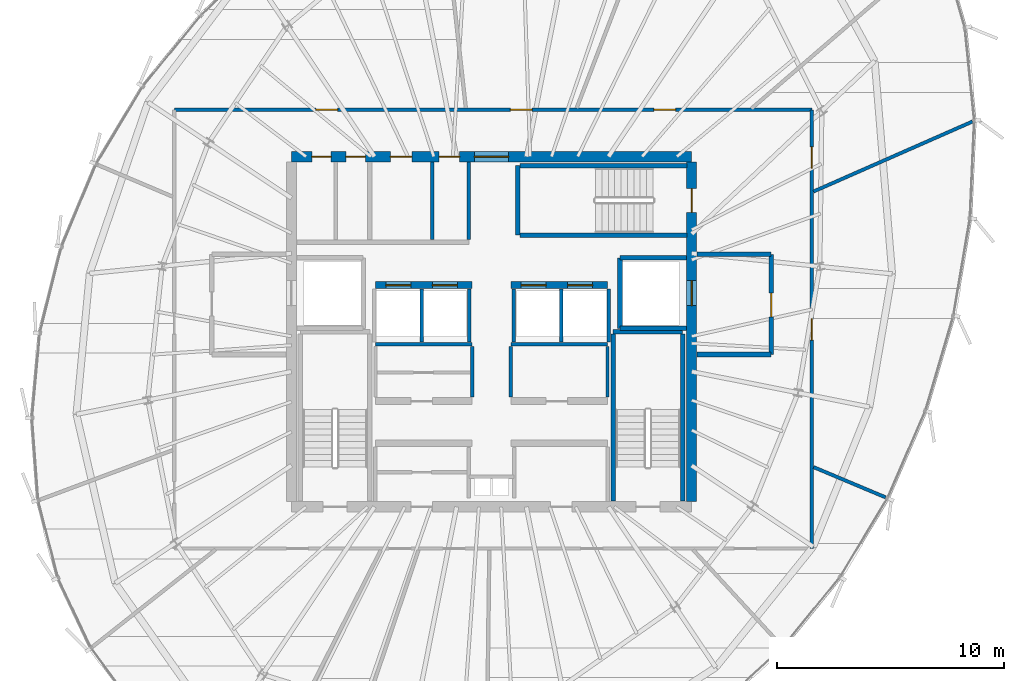
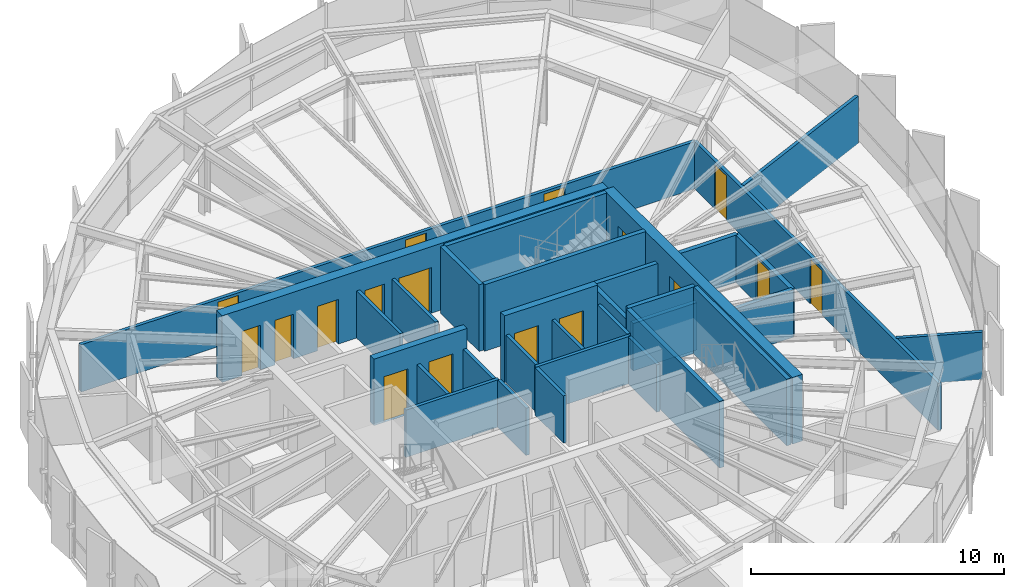
# One storey, part 28 of 33: 32 walls, 17 doors, 17 openings.
"""IFC4 building model written with IfcOpenShell, lengths in metres."""

from ifc_helpers import new_model, si_unit, direction, frame, frame_2d, origin, place, context, subcontext, project, spatial, rectangle, extrude, source, transform, mapped, material, layer, layer_set, type_object, element, fill, save


model = new_model("IFC4")

# Units and contexts
model_context = context("Model", 3, precision=1e-05, world=origin(), true_north=direction((0.0, 1.0)))
body_context = subcontext(model_context, "Body", "Model", "MODEL_VIEW")
ifc_project = project(units=[si_unit("LENGTHUNIT", "METRE"), si_unit("AREAUNIT", "SQUARE_METRE"), si_unit("VOLUMEUNIT", "CUBIC_METRE"), si_unit("PLANEANGLEUNIT", "RADIAN"), si_unit("MASSUNIT", "GRAM", prefix="KILO"), si_unit("THERMODYNAMICTEMPERATUREUNIT", "KELVIN")], contexts=[model_context])

# Site, building, storey
site_placement = place(None, origin())
site = spatial("IfcSite", under=ifc_project, at=site_placement, CompositionType="ELEMENT")
building_placement = place(site_placement, origin())
building = spatial("IfcBuilding", under=site, at=building_placement, Name="Kethvar Cultural Tower", CompositionType="ELEMENT")
storey_placement = place(building_placement, frame((0.0, 0.0, 256.0)))
storey = spatial("IfcBuildingStorey", under=building, at=storey_placement, Name="L67", CompositionType="ELEMENT", Elevation=256.0)

# Wall, openings, doors
ifc_material_1 = material(Name="Concrete C50/60", Category="concrete")
ifc_layer_1 = layer(ifc_material_1, 0.449951171875, Name="Concrete C50/60", Category="concrete")
ifc_layer_set_1 = layer_set([ifc_layer_1], Name="Concrete C50/60 (450 mm)")
wall_type_1 = type_object("IfcWallType", Name="WL-CORE-450", PredefinedType="SHEAR", material=ifc_layer_set_1)
wall_1_placement = place(storey_placement, frame((55.60009765625, 35.5, 0.0), z_axis=(0.0, 0.0, 1.0), x_axis=(-1.0, 0.0, 0.0)))
wall_1 = element("IfcWall", 1, at=wall_1_placement, inside=storey, type_object=wall_type_1, Name="L67 Core Shear Wall N", PredefinedType="SHEAR", context=body_context, shape_type="SweptSolid", body=[
    extrude(rectangle(XDim=17.60009765625, YDim=0.449951171875, at=frame_2d((8.800048828125, 0.0))), origin(), (0.0, 0.0, 1.0), 3.2099609375),
])
opening_1_placement = place(wall_1_placement, frame((8.050048828125, 0.0, 0.0)))
opening_1 = element("IfcOpeningElement", 2, at=opening_1_placement, cuts=wall_1, Name="Opening D-L67-LN", PredefinedType="OPENING", context=body_context, shape_type="SweptSolid", body=[
    extrude(rectangle(XDim=1.5, YDim=2.199951171875, at=frame_2d((0.75, 1.10009765625))), frame((0.0, 0.23486328125, 0.0), z_axis=(0.0, -1.0, 0.0), x_axis=(1.0, 0.0, 0.0)), (0.0, 0.0, 1.0), 0.469970703125),
])
opening_2_placement = place(wall_1_placement, frame((15.85009765625, 0.0, 0.0)))
opening_2 = element("IfcOpeningElement", 3, at=opening_2_placement, cuts=wall_1, Name="Opening D-L67-E1", PredefinedType="OPENING", context=body_context, shape_type="SweptSolid", body=[
    extrude(rectangle(XDim=0.85009765625, YDim=2.14990234375, at=frame_2d((0.425048828125, 1.074951171875))), frame((0.0, 0.23486328125, 0.0), z_axis=(0.0, -1.0, 0.0), x_axis=(1.0, 0.0, 0.0)), (0.0, 0.0, 1.0), 0.469970703125),
])
opening_3_placement = place(wall_1_placement, frame((14.35009765625, 0.0, 0.0)))
opening_3 = element("IfcOpeningElement", 4, at=opening_3_placement, cuts=wall_1, Name="Opening D-L67-E2", PredefinedType="OPENING", context=body_context, shape_type="SweptSolid", body=[
    extrude(rectangle(XDim=0.85009765625, YDim=2.14990234375, at=frame_2d((0.425048828125, 1.074951171875))), frame((0.0, 0.23486328125, 0.0), z_axis=(0.0, -1.0, 0.0), x_axis=(1.0, 0.0, 0.0)), (0.0, 0.0, 1.0), 0.469970703125),
])
opening_4_placement = place(wall_1_placement, frame((12.300048828125, 0.0, 0.0)))
opening_4 = element("IfcOpeningElement", 5, at=opening_4_placement, cuts=wall_1, Name="Opening D-L67-W1", PredefinedType="OPENING", context=body_context, shape_type="SweptSolid", body=[
    extrude(rectangle(XDim=0.949951171875, YDim=2.14990234375, at=frame_2d((0.47509765625, 1.074951171875))), frame((0.0, 0.23486328125, 0.0), z_axis=(0.0, -1.0, 0.0), x_axis=(1.0, 0.0, 0.0)), (0.0, 0.0, 1.0), 0.469970703125),
])
opening_5_placement = place(wall_1_placement, frame((10.199951171875, 0.0, 0.0)))
opening_5 = element("IfcOpeningElement", 6, at=opening_5_placement, cuts=wall_1, Name="Opening D-L67-W2", PredefinedType="OPENING", context=body_context, shape_type="SweptSolid", body=[
    extrude(rectangle(XDim=0.89990234375, YDim=2.14990234375, at=frame_2d((0.449951171875, 1.074951171875))), frame((0.0, 0.23486328125, 0.0), z_axis=(0.0, -1.0, 0.0), x_axis=(1.0, 0.0, 0.0)), (0.0, 0.0, 1.0), 0.469970703125),
])
ifc_material_2 = material(Name="Architectural Oak Timber", Category="wood")
door_type_1 = type_object("IfcDoorType", Name="DR-DBL-FD60-1500", OperationType="DOUBLE_DOOR_SINGLE_SWING", PredefinedType="DOOR", material=ifc_material_2)
shared_shape_1 = source(origin(), body_context, "Body", "SweptSolid", [
    extrude(rectangle(XDim=1.5, YDim=2.199951171875, at=frame_2d((0.75, 1.10009765625))), frame((0.0, 0.02490234375, 0.0), z_axis=(0.0, -1.0, 0.0), x_axis=(1.0, 0.0, 0.0)), (0.0, 0.0, 1.0), 0.050048828125),
])
door_1_placement = place(opening_1_placement, origin())
door_1 = element("IfcDoor", 7, at=door_1_placement, inside=storey, type_object=door_type_1, Name="L67 Lift Lobby Concourse Door", OperationType="DOUBLE_DOOR_SINGLE_SWING", OverallHeight=2.199951171875, OverallWidth=1.5, PredefinedType="DOOR", context=body_context, shape_type="MappedRepresentation", body=[
    mapped(shared_shape_1, transform((0.0, 0.0, 0.0), scale=1.0)),
])
fill(opening_1, door_1)
door_type_2 = type_object("IfcDoorType", Name="DR-FD30-950", OperationType="NOTDEFINED", PredefinedType="DOOR", material=ifc_material_2)
shared_shape_2 = source(origin(), body_context, "Body", "SweptSolid", [
    extrude(rectangle(XDim=0.949951171875, YDim=2.14990234375, at=frame_2d((0.47509765625, 1.074951171875))), frame((0.0, 0.02490234375, 0.0), z_axis=(0.0, -1.0, 0.0), x_axis=(1.0, 0.0, 0.0)), (0.0, 0.0, 1.0), 0.050048828125),
])
door_2_placement = place(opening_4_placement, origin())
door_2 = element("IfcDoor", 8, at=door_2_placement, inside=storey, type_object=door_type_2, Name="L67 Public Washroom Door", OperationType="SINGLE_SWING_LEFT", OverallHeight=2.14990234375, OverallWidth=0.949951171875, PredefinedType="DOOR", context=body_context, shape_type="MappedRepresentation", body=[
    mapped(shared_shape_2, transform((0.0, 0.0, 0.0), scale=1.0)),
])
fill(opening_4, door_2)
door_type_3 = type_object("IfcDoorType", Name="DR-FD30-900", OperationType="NOTDEFINED", PredefinedType="DOOR", material=ifc_material_2)
shared_shape_3 = source(origin(), body_context, "Body", "SweptSolid", [
    extrude(rectangle(XDim=0.89990234375, YDim=2.14990234375, at=frame_2d((0.449951171875, 1.074951171875))), frame((0.0, 0.02490234375, 0.0), z_axis=(0.0, -1.0, 0.0), x_axis=(1.0, 0.0, 0.0)), (0.0, 0.0, 1.0), 0.050048828125),
])
door_3_placement = place(opening_5_placement, origin())
door_3 = element("IfcDoor", 9, at=door_3_placement, inside=storey, type_object=door_type_3, Name="L67 Accessible Washroom Door", OperationType="SINGLE_SWING_RIGHT", OverallHeight=2.14990234375, OverallWidth=0.89990234375, PredefinedType="DOOR", context=body_context, shape_type="MappedRepresentation", body=[
    mapped(shared_shape_3, transform((0.0, 0.0, 0.0), scale=1.0)),
])
fill(opening_5, door_3)
ifc_material_3 = material(Name="Steel S355J2", Category="steel")
door_type_4 = type_object("IfcDoorType", Name="DR-FD30-850", OperationType="NOTDEFINED", PredefinedType="DOOR", material=ifc_material_3)
shared_shape_4 = source(origin(), body_context, "Body", "SweptSolid", [
    extrude(rectangle(XDim=0.85009765625, YDim=2.14990234375, at=frame_2d((0.425048828125, 1.074951171875))), frame((0.0, 0.02490234375, 0.0), z_axis=(0.0, -1.0, 0.0), x_axis=(1.0, 0.0, 0.0)), (0.0, 0.0, 1.0), 0.050048828125),
])
door_4_placement = place(opening_2_placement, origin())
door_4 = element("IfcDoor", 10, at=door_4_placement, inside=storey, type_object=door_type_4, Name="L67 Electrical Riser Door", OperationType="SINGLE_SWING_LEFT", OverallHeight=2.14990234375, OverallWidth=0.85009765625, PredefinedType="DOOR", context=body_context, shape_type="MappedRepresentation", body=[
    mapped(shared_shape_4, transform((0.0, 0.0, 0.0), scale=1.0)),
])
fill(opening_2, door_4)
door_5_placement = place(opening_3_placement, origin())
door_5 = element("IfcDoor", 11, at=door_5_placement, inside=storey, type_object=door_type_4, Name="L67 Chilled Water Riser Door", OperationType="SINGLE_SWING_RIGHT", OverallHeight=2.14990234375, OverallWidth=0.85009765625, PredefinedType="DOOR", context=body_context, shape_type="MappedRepresentation", body=[
    mapped(shared_shape_4, transform((0.0, 0.0, 0.0), scale=1.0)),
])
fill(opening_3, door_5)

wall_2_placement = place(storey_placement, frame((55.60009765625, 20.340087890625, 0.0), z_axis=(0.0, 0.0, 1.0), x_axis=(0.0, 1.0, 0.0)))
wall_2 = element("IfcWall", 12, at=wall_2_placement, inside=storey, type_object=wall_type_1, Name="L67 Core Shear Wall E", PredefinedType="SHEAR", context=body_context, shape_type="SweptSolid", body=[
    extrude(rectangle(XDim=14.919921875, YDim=0.449951171875, at=frame_2d((7.4599609375, 0.0))), origin(), (0.0, 0.0, 1.0), 3.2099609375),
])
opening_6_placement = place(wall_2_placement, frame((12.7099609375, 0.0, 0.0)))
opening_6 = element("IfcOpeningElement", 13, at=opening_6_placement, cuts=wall_2, Name="Opening D-L67-S3", PredefinedType="OPENING", context=body_context, shape_type="SweptSolid", body=[
    extrude(rectangle(XDim=1.050048828125, YDim=2.14990234375, at=frame_2d((0.52490234375, 1.074951171875))), frame((0.0, 0.23486328125, 0.0), z_axis=(0.0, -1.0, 0.0), x_axis=(1.0, 0.0, 0.0)), (0.0, 0.0, 1.0), 0.469970703125),
])
opening_7_placement = place(wall_2_placement, frame((8.610107421875, 0.0, 0.0)))
opening_7 = element("IfcOpeningElement", 14, at=opening_7_placement, cuts=wall_2, Name="Opening LD-2", PredefinedType="OPENING", context=body_context, shape_type="SweptSolid", body=[
    extrude(rectangle(XDim=1.10009765625, YDim=2.199951171875, at=frame_2d((0.550048828125, 1.10009765625))), frame((0.0, 0.23486328125, 0.0), z_axis=(0.0, -1.0, 0.0), x_axis=(1.0, 0.0, 0.0)), (0.0, 0.0, 1.0), 0.469970703125),
])
door_type_5 = type_object("IfcDoorType", Name="DR-FD60-1050", OperationType="NOTDEFINED", PredefinedType="DOOR", material=ifc_material_3)
shared_shape_5 = source(origin(), body_context, "Body", "SweptSolid", [
    extrude(rectangle(XDim=1.050048828125, YDim=2.14990234375, at=frame_2d((0.52490234375, 1.074951171875))), frame((0.0, 0.02490234375, 0.0), z_axis=(0.0, -1.0, 0.0), x_axis=(1.0, 0.0, 0.0)), (0.0, 0.0, 1.0), 0.050048828125),
])
door_6_placement = place(opening_6_placement, origin())
door_6 = element("IfcDoor", 15, at=door_6_placement, inside=storey, type_object=door_type_5, Name="L67 Exit Stair 3 Door", OperationType="SINGLE_SWING_LEFT", OverallHeight=2.14990234375, OverallWidth=1.050048828125, PredefinedType="DOOR", context=body_context, shape_type="MappedRepresentation", body=[
    mapped(shared_shape_5, transform((0.0, 0.0, 0.0), scale=1.0)),
])
fill(opening_6, door_6)
door_type_6 = type_object("IfcDoorType", Name="DR-LIFT-SLIDE-1100", OperationType="NOTDEFINED", PredefinedType="DOOR", material=ifc_material_3)
shared_shape_6 = source(origin(), body_context, "Body", "SweptSolid", [
    extrude(rectangle(XDim=1.10009765625, YDim=2.199951171875, at=frame_2d((0.550048828125, 1.10009765625))), frame((0.0, 0.02490234375, 0.0), z_axis=(0.0, -1.0, 0.0), x_axis=(1.0, 0.0, 0.0)), (0.0, 0.0, 1.0), 0.050048828125),
])
door_7_placement = place(opening_7_placement, origin())
door_7 = element("IfcDoor", 16, at=door_7_placement, inside=storey, type_object=door_type_6, Name="L67 Firefighting Lift Landing Door FFL-02", OperationType="SLIDING_TO_RIGHT", OverallHeight=2.199951171875, OverallWidth=1.10009765625, PredefinedType="DOOR", context=body_context, shape_type="MappedRepresentation", body=[
    mapped(shared_shape_6, transform((0.0, 0.0, 0.0), scale=1.0)),
])
fill(opening_7, door_7)

# Walls
ifc_material_4 = material(Name="Gypsum Fireboard Partition")
ifc_layer_2 = layer(ifc_material_4, 0.14990234375, Name="Gypsum Fireboard Partition")
ifc_layer_set_2 = layer_set([ifc_layer_2], Name="Gypsum Fireboard Partition (150 mm)")
wall_type_2 = type_object("IfcWallType", Name="WL-FIRE-150", PredefinedType="PARTITIONING", material=ifc_layer_set_2)
for number, where, z_axis, x_axis, name in (
    (17, (41.699951171875, 27.25, 0.0), (0.0, 0.0, 1.0), (1.0, 0.0, 0.0), "L67 Reclaimed Mid Wall W"),
    (18, (47.64990234375, 27.25, 0.0), (0.0, 0.0, 1.0), (1.0, 0.0, 0.0), "L67 Reclaimed Mid Wall E"),
):
    element("IfcWall", number, at=place(storey_placement, frame(where, z_axis=z_axis, x_axis=x_axis)), inside=storey, type_object=wall_type_2, Name=name, PredefinedType="PARTITIONING", context=body_context, shape_type="SweptSolid", body=[
        extrude(rectangle(XDim=4.25, YDim=0.14990234375, at=frame_2d((2.125, 0.0))), origin(), (0.0, 0.0, 1.0), 2.280029296875),
    ])
for number, where, z_axis, x_axis, name in (
    (19, (45.949951171875, 24.919921875, 0.0), (0.0, 0.0, 1.0), (0.0, 1.0, 0.0), "L67 Reclaimed Mid Spine W"),
    (20, (47.64990234375, 24.919921875, 0.0), (0.0, 0.0, 1.0), (0.0, 1.0, 0.0), "L67 Reclaimed Mid Spine E"),
    (21, (51.89990234375, 24.919921875, 0.0), (0.0, 0.0, 1.0), (0.0, 1.0, 0.0), "L67 Reclaimed Mid Outer E"),
):
    element("IfcWall", number, at=place(storey_placement, frame(where, z_axis=z_axis, x_axis=x_axis)), inside=storey, type_object=wall_type_2, Name=name, PredefinedType="PARTITIONING", context=body_context, shape_type="SweptSolid", body=[
        extrude(rectangle(XDim=2.239990234375, YDim=0.14990234375, at=frame_2d((1.1201171875, 0.0))), origin(), (0.0, 0.0, 1.0), 2.280029296875),
    ])
for number, where, z_axis, x_axis, name in (
    (22, (43.72509765625, 27.340087890625, 0.0), (0.0, 0.0, 1.0), (0.0, 1.0, 0.0), "L67 High-Rise Lift Shaft Divider W"),
    (23, (45.824951171875, 27.340087890625, 0.0), (0.0, 0.0, 1.0), (0.0, 1.0, 0.0), "L67 High-Rise Lift Shaft Concourse Wall W"),
    (24, (47.77490234375, 27.340087890625, 0.0), (0.0, 0.0, 1.0), (0.0, 1.0, 0.0), "L67 High-Rise Lift Shaft Concourse Wall E"),
    (25, (49.875, 27.340087890625, 0.0), (0.0, 0.0, 1.0), (0.0, 1.0, 0.0), "L67 High-Rise Lift Shaft Divider E"),
    (26, (51.949951171875, 27.340087890625, 0.0), (0.0, 0.0, 1.0), (0.0, 1.0, 0.0), "L67 High-Rise Lift Shaft Outer Wall E"),
):
    element("IfcWall", number, at=place(storey_placement, frame(where, z_axis=z_axis, x_axis=x_axis)), inside=storey, type_object=wall_type_2, Name=name, PredefinedType="PARTITIONING", context=body_context, shape_type="SweptSolid", body=[
        extrude(rectangle(XDim=2.33984375, YDim=0.14990234375, at=frame_2d((1.169921875, 0.0))), origin(), (0.0, 0.0, 1.0), 2.280029296875),
    ])
wall_3_placement = place(storey_placement, frame((45.800048828125, 31.85009765625, 0.0), z_axis=(0.0, 0.0, 1.0), x_axis=(0.0, 1.0, 0.0)))
element("IfcWall", 27, at=wall_3_placement, inside=storey, type_object=wall_type_2, Name="L67 Sanitary Spine Wall", PredefinedType="PARTITIONING", context=body_context, shape_type="SweptSolid", body=[
    extrude(rectangle(XDim=3.414794921875, YDim=0.14990234375, at=frame_2d((1.70751953125, 0.0))), origin(), (0.0, 0.0, 1.0), 2.280029296875),
])

# Wall, openings, doors
wall_4_placement = place(storey_placement, frame((60.887939453125, 18.26904296875, 0.0), z_axis=(0.0, 0.0, 1.0), x_axis=(0.0, 1.0, 0.0)))
wall_4 = element("IfcWall", 28, at=wall_4_placement, inside=storey, type_object=wall_type_2, Name="L67 Corridor Rated Wall E", PredefinedType="PARTITIONING", context=body_context, shape_type="SweptSolid", body=[
    extrude(rectangle(XDim=19.29296875, YDim=0.14990234375, at=frame_2d((9.646484375, 0.0))), origin(), (0.0, 0.0, 1.0), 2.280029296875),
])
opening_8_placement = place(wall_4_placement, frame((9.163818359375, 0.0, 0.0)))
opening_8 = element("IfcOpeningElement", 29, at=opening_8_placement, cuts=wall_4, Name="Opening D-L67-07", PredefinedType="OPENING", context=body_context, shape_type="SweptSolid", body=[
    extrude(rectangle(XDim=0.949951171875, YDim=2.14990234375, at=frame_2d((0.47509765625, 1.074951171875))), frame((0.0, 0.0849609375, 0.0), z_axis=(0.0, -1.0, 0.0), x_axis=(1.0, 0.0, 0.0)), (0.0, 0.0, 1.0), 0.169921875),
])
opening_9_placement = place(wall_4_placement, frame((16.714599609375, 0.0, 0.0)))
opening_9 = element("IfcOpeningElement", 30, at=opening_9_placement, cuts=wall_4, Name="Opening D-L67-08", PredefinedType="OPENING", context=body_context, shape_type="SweptSolid", body=[
    extrude(rectangle(XDim=0.949951171875, YDim=2.14990234375, at=frame_2d((0.47509765625, 1.074951171875))), frame((0.0, 0.0849609375, 0.0), z_axis=(0.0, -1.0, 0.0), x_axis=(1.0, 0.0, 0.0)), (0.0, 0.0, 1.0), 0.169921875),
])
door_8_placement = place(opening_8_placement, origin())
door_8 = element("IfcDoor", 31, at=door_8_placement, inside=storey, type_object=door_type_2, Name="L67 Rare Folio Storage 07 Door", OperationType="SINGLE_SWING_RIGHT", OverallHeight=2.14990234375, OverallWidth=0.949951171875, PredefinedType="DOOR", context=body_context, shape_type="MappedRepresentation", body=[
    mapped(shared_shape_2, transform((0.0, 0.0, 0.0), scale=1.0)),
])
fill(opening_8, door_8)
door_9_placement = place(opening_9_placement, origin())
door_9 = element("IfcDoor", 32, at=door_9_placement, inside=storey, type_object=door_type_2, Name="L67 Publication Archive Store 08 Door", OperationType="SINGLE_SWING_LEFT", OverallHeight=2.14990234375, OverallWidth=0.949951171875, PredefinedType="DOOR", context=body_context, shape_type="MappedRepresentation", body=[
    mapped(shared_shape_2, transform((0.0, 0.0, 0.0), scale=1.0)),
])
fill(opening_9, door_9)

wall_5_placement = place(storey_placement, frame((60.887939453125, 37.56201171875, 0.0), z_axis=(0.0, 0.0, 1.0), x_axis=(-1.0, 0.0, 0.0)))
wall_5 = element("IfcWall", 33, at=wall_5_placement, inside=storey, type_object=wall_type_2, Name="L67 Corridor Rated Wall N", PredefinedType="PARTITIONING", context=body_context, shape_type="SweptSolid", body=[
    extrude(rectangle(XDim=28.037841796875, YDim=0.14990234375, at=frame_2d((14.01904296875, 0.0))), origin(), (0.0, 0.0, 1.0), 2.280029296875),
])
opening_10_placement = place(wall_5_placement, frame((5.99365234375, 0.0, 0.0)))
opening_10 = element("IfcOpeningElement", 34, at=opening_10_placement, cuts=wall_5, Name="Opening D-L67-09", PredefinedType="OPENING", context=body_context, shape_type="SweptSolid", body=[
    extrude(rectangle(XDim=0.949951171875, YDim=2.14990234375, at=frame_2d((0.47509765625, 1.074951171875))), frame((0.0, 0.0849609375, 0.0), z_axis=(0.0, -1.0, 0.0), x_axis=(1.0, 0.0, 0.0)), (0.0, 0.0, 1.0), 0.169921875),
])
opening_11_placement = place(wall_5_placement, frame((12.3056640625, 0.0, 0.0)))
opening_11 = element("IfcOpeningElement", 35, at=opening_11_placement, cuts=wall_5, Name="Opening D-L67-10", PredefinedType="OPENING", context=body_context, shape_type="SweptSolid", body=[
    extrude(rectangle(XDim=0.949951171875, YDim=2.14990234375, at=frame_2d((0.47509765625, 1.074951171875))), frame((0.0, 0.0849609375, 0.0), z_axis=(0.0, -1.0, 0.0), x_axis=(1.0, 0.0, 0.0)), (0.0, 0.0, 1.0), 0.169921875),
])
opening_12_placement = place(wall_5_placement, frame((20.858154296875, 0.0, 0.0)))
opening_12 = element("IfcOpeningElement", 36, at=opening_12_placement, cuts=wall_5, Name="Opening D-L67-11", PredefinedType="OPENING", context=body_context, shape_type="SweptSolid", body=[
    extrude(rectangle(XDim=0.949951171875, YDim=2.14990234375, at=frame_2d((0.47509765625, 1.074951171875))), frame((0.0, 0.0849609375, 0.0), z_axis=(0.0, -1.0, 0.0), x_axis=(1.0, 0.0, 0.0)), (0.0, 0.0, 1.0), 0.169921875),
])
door_10_placement = place(opening_10_placement, origin())
door_10 = element("IfcDoor", 37, at=door_10_placement, inside=storey, type_object=door_type_2, Name="L67 Concourse Visitor Foyer 09 Door", OperationType="SINGLE_SWING_RIGHT", OverallHeight=2.14990234375, OverallWidth=0.949951171875, PredefinedType="DOOR", context=body_context, shape_type="MappedRepresentation", body=[
    mapped(shared_shape_2, transform((0.0, 0.0, 0.0), scale=1.0)),
])
fill(opening_10, door_10)
door_11_placement = place(opening_11_placement, origin())
door_11 = element("IfcDoor", 38, at=door_11_placement, inside=storey, type_object=door_type_2, Name="L67 Fellowship Seminar Room 10 Door", OperationType="SINGLE_SWING_LEFT", OverallHeight=2.14990234375, OverallWidth=0.949951171875, PredefinedType="DOOR", context=body_context, shape_type="MappedRepresentation", body=[
    mapped(shared_shape_2, transform((0.0, 0.0, 0.0), scale=1.0)),
])
fill(opening_11, door_11)
door_12_placement = place(opening_12_placement, origin())
door_12 = element("IfcDoor", 39, at=door_12_placement, inside=storey, type_object=door_type_2, Name="L67 Institute Tea Pantry 11 Door", OperationType="SINGLE_SWING_RIGHT", OverallHeight=2.14990234375, OverallWidth=0.949951171875, PredefinedType="DOOR", context=body_context, shape_type="MappedRepresentation", body=[
    mapped(shared_shape_2, transform((0.0, 0.0, 0.0), scale=1.0)),
])
fill(opening_12, door_12)

# Walls
ifc_material_5 = material(Name="Concrete C40/50", Category="concrete")
ifc_layer_3 = layer(ifc_material_5, 0.199951171875, Name="Concrete C40/50", Category="concrete")
ifc_layer_set_3 = layer_set([ifc_layer_3], Name="Concrete C40/50 (200 mm)")
wall_type_3 = type_object("IfcWallType", Name="WL-FIRE-200", PredefinedType="PARTITIONING", material=ifc_layer_set_3)
wall_6_placement = place(storey_placement, frame((52.449951171875, 27.949951171875, 0.0), z_axis=(0.0, 0.0, 1.0), x_axis=(0.0, 1.0, 0.0)))
element("IfcWall", 40, at=wall_6_placement, inside=storey, type_object=wall_type_3, Name="L67 FFL-02 Shaft Inner Wall", PredefinedType="PARTITIONING", context=body_context, shape_type="SweptSolid", body=[
    extrude(rectangle(XDim=3.10009765625, YDim=0.199951171875, at=frame_2d((1.550048828125, 0.0))), origin(), (0.0, 0.0, 1.0), 2.280029296875),
])
for number, where, z_axis, x_axis, name in (
    (41, (52.449951171875, 27.949951171875, 0.0), (0.0, 0.0, 1.0), (1.0, 0.0, 0.0), "L67 FFL-02 Shaft South Wall"),
    (42, (52.449951171875, 31.050048828125, 0.0), (0.0, 0.0, 1.0), (1.0, 0.0, 0.0), "L67 FFL-02 Shaft North Wall"),
):
    element("IfcWall", number, at=place(storey_placement, frame(where, z_axis=z_axis, x_axis=x_axis)), inside=storey, type_object=wall_type_3, Name=name, PredefinedType="PARTITIONING", context=body_context, shape_type="SweptSolid", body=[
        extrude(rectangle(XDim=2.9150390625, YDim=0.199951171875, at=frame_2d((1.45751953125, 0.0))), origin(), (0.0, 0.0, 1.0), 2.280029296875),
    ])

# Wall, opening, door
wall_7_placement = place(storey_placement, frame((59.10009765625, 26.800048828125, 0.0), z_axis=(0.0, 0.0, 1.0), x_axis=(0.0, 1.0, 0.0)))
wall_7 = element("IfcWall", 43, at=wall_7_placement, inside=storey, type_object=wall_type_3, Name="L67 Firefighting Lobby 2 Wall", PredefinedType="PARTITIONING", context=body_context, shape_type="SweptSolid", body=[
    extrude(rectangle(XDim=4.39990234375, YDim=0.199951171875, at=frame_2d((2.199951171875, 0.0))), origin(), (0.0, 0.0, 1.0), 2.280029296875),
])
opening_13_placement = place(wall_7_placement, frame((1.64990234375, 0.0, 0.0)))
opening_13 = element("IfcOpeningElement", 44, at=opening_13_placement, cuts=wall_7, Name="Opening D-L67-F2", PredefinedType="OPENING", context=body_context, shape_type="SweptSolid", body=[
    extrude(rectangle(XDim=1.050048828125, YDim=2.14990234375, at=frame_2d((0.52490234375, 1.074951171875))), frame((0.0, 0.10986328125, 0.0), z_axis=(0.0, -1.0, 0.0), x_axis=(1.0, 0.0, 0.0)), (0.0, 0.0, 1.0), 0.219970703125),
])
door_13_placement = place(opening_13_placement, origin())
door_13 = element("IfcDoor", 45, at=door_13_placement, inside=storey, type_object=door_type_5, Name="L67 Firefighting Lobby 2 Fire Door", OperationType="SINGLE_SWING_LEFT", OverallHeight=2.14990234375, OverallWidth=1.050048828125, PredefinedType="DOOR", context=body_context, shape_type="MappedRepresentation", body=[
    mapped(shared_shape_5, transform((0.0, 0.0, 0.0), scale=1.0)),
])
fill(opening_13, door_13)

# Walls
for number, where, z_axis, x_axis, name in (
    (46, (55.8349609375, 26.800048828125, 0.0), (0.0, 0.0, 1.0), (1.0, 0.0, 0.0), "L67 FF Lobby 2 South Wall"),
    (47, (55.8349609375, 31.199951171875, 0.0), (0.0, 0.0, 1.0), (1.0, 0.0, 0.0), "L67 FF Lobby 2 North Wall"),
):
    element("IfcWall", number, at=place(storey_placement, frame(where, z_axis=z_axis, x_axis=x_axis)), inside=storey, type_object=wall_type_3, Name=name, PredefinedType="PARTITIONING", context=body_context, shape_type="SweptSolid", body=[
        extrude(rectangle(XDim=3.26513671875, YDim=0.199951171875, at=frame_2d((1.632568359375, 0.0))), origin(), (0.0, 0.0, 1.0), 2.280029296875),
    ])
ifc_material_6 = material(Name="Gypsum Acoustic Partition")
ifc_layer_4 = layer(ifc_material_6, 0.14990234375, Name="Gypsum Acoustic Partition")
ifc_layer_set_4 = layer_set([ifc_layer_4], Name="Gypsum Acoustic Partition (150 mm)")
wall_type_4 = type_object("IfcWallType", Name="WL-PART-150", PredefinedType="PARTITIONING", material=ifc_layer_set_4)
wall_8_placement = place(storey_placement, frame((60.9619140625, 21.84765625, 0.0), z_axis=(0.0, 0.0, 1.0), x_axis=(0.921987679929, -0.387219211892, 0.0)))
element("IfcWall", 48, at=wall_8_placement, inside=storey, type_object=wall_type_4, Name="L67 Radial Partition Wall 07", PredefinedType="PARTITIONING", context=body_context, shape_type="SweptSolid", body=[
    extrude(rectangle(XDim=3.43994140625, YDim=0.14990234375, at=frame_2d((1.719970703125, 0.0))), origin(), (0.0, 0.0, 1.0), 2.280029296875),
])
wall_9_placement = place(storey_placement, frame((60.961181640625, 33.96728515625, 0.0), z_axis=(0.0, 0.0, 1.0), x_axis=(0.915265056404, 0.402852177015, 0.0)))
element("IfcWall", 49, at=wall_9_placement, inside=storey, type_object=wall_type_4, Name="L67 Radial Partition Wall 08", PredefinedType="PARTITIONING", context=body_context, shape_type="SweptSolid", body=[
    extrude(rectangle(XDim=7.636474609375, YDim=0.14990234375, at=frame_2d((3.818359375, 0.0))), origin(), (0.0, 0.0, 1.0), 2.280029296875),
])
ifc_material_7 = material(Name="Moisture-Resistant Sanitary Chase Wall")
ifc_layer_5 = layer(ifc_material_7, 0.14990234375, Name="Moisture-Resistant Sanitary Chase Wall")
ifc_layer_set_5 = layer_set([ifc_layer_5], Name="Moisture-Resistant Sanitary Chase Wall (150 mm)")
wall_type_5 = type_object("IfcWallType", Name="WL-PLUMB-150", PredefinedType="PLUMBINGWALL", material=ifc_layer_set_5)
wall_10_placement = place(storey_placement, frame((44.199951171875, 31.85009765625, 0.0), z_axis=(0.0, 0.0, 1.0), x_axis=(0.0, 1.0, 0.0)))
element("IfcWall", 50, at=wall_10_placement, inside=storey, type_object=wall_type_5, Name="L67 Sanitary Plumbing Wall", PredefinedType="PLUMBINGWALL", context=body_context, shape_type="SweptSolid", body=[
    extrude(rectangle(XDim=3.414794921875, YDim=0.14990234375, at=frame_2d((1.70751953125, 0.0))), origin(), (0.0, 0.0, 1.0), 2.280029296875),
])

# Wall, openings, doors
ifc_layer_6 = layer(ifc_material_1, 0.300048828125, Name="Concrete C50/60", Category="concrete")
ifc_layer_set_6 = layer_set([ifc_layer_6], Name="Concrete C50/60 (300 mm)")
wall_type_6 = type_object("IfcWallType", Name="WL-SHAFT-300", PredefinedType="SHEAR", material=ifc_layer_set_6)
wall_11_placement = place(storey_placement, frame((41.699951171875, 29.85009765625, 0.0), z_axis=(0.0, 0.0, 1.0), x_axis=(1.0, 0.0, 0.0)))
wall_11 = element("IfcWall", 51, at=wall_11_placement, inside=storey, type_object=wall_type_6, Name="L67 Core Lift Spine Wall MID3W", PredefinedType="SHEAR", context=body_context, shape_type="SweptSolid", body=[
    extrude(rectangle(XDim=4.25, YDim=0.300048828125, at=frame_2d((2.125, 0.0))), origin(), (0.0, 0.0, 1.0), 3.2099609375),
])
opening_14_placement = place(wall_11_placement, frame((0.449951171875, 0.0, 0.0)))
opening_14 = element("IfcOpeningElement", 52, at=opening_14_placement, cuts=wall_11, Name="Opening LD-H1", PredefinedType="OPENING", context=body_context, shape_type="SweptSolid", body=[
    extrude(rectangle(XDim=1.10009765625, YDim=2.199951171875, at=frame_2d((0.550048828125, 1.10009765625))), frame((0.0, 0.159912109375, 0.0), z_axis=(0.0, -1.0, 0.0), x_axis=(1.0, 0.0, 0.0)), (0.0, 0.0, 1.0), 0.320068359375),
])
opening_15_placement = place(wall_11_placement, frame((2.5, 0.0, 0.0)))
opening_15 = element("IfcOpeningElement", 53, at=opening_15_placement, cuts=wall_11, Name="Opening LD-H2", PredefinedType="OPENING", context=body_context, shape_type="SweptSolid", body=[
    extrude(rectangle(XDim=1.10009765625, YDim=2.199951171875, at=frame_2d((0.550048828125, 1.10009765625))), frame((0.0, 0.159912109375, 0.0), z_axis=(0.0, -1.0, 0.0), x_axis=(1.0, 0.0, 0.0)), (0.0, 0.0, 1.0), 0.320068359375),
])
door_14_placement = place(opening_14_placement, origin())
door_14 = element("IfcDoor", 54, at=door_14_placement, inside=storey, type_object=door_type_6, Name="L67 High-Rise Lift Landing Door H1", OperationType="SLIDING_TO_LEFT", OverallHeight=2.199951171875, OverallWidth=1.10009765625, PredefinedType="DOOR", context=body_context, shape_type="MappedRepresentation", body=[
    mapped(shared_shape_6, transform((0.0, 0.0, 0.0), scale=1.0)),
])
fill(opening_14, door_14)
door_15_placement = place(opening_15_placement, origin())
door_15 = element("IfcDoor", 55, at=door_15_placement, inside=storey, type_object=door_type_6, Name="L67 High-Rise Lift Landing Door H2", OperationType="SLIDING_TO_LEFT", OverallHeight=2.199951171875, OverallWidth=1.10009765625, PredefinedType="DOOR", context=body_context, shape_type="MappedRepresentation", body=[
    mapped(shared_shape_6, transform((0.0, 0.0, 0.0), scale=1.0)),
])
fill(opening_15, door_15)

wall_12_placement = place(storey_placement, frame((47.64990234375, 29.85009765625, 0.0), z_axis=(0.0, 0.0, 1.0), x_axis=(1.0, 0.0, 0.0)))
wall_12 = element("IfcWall", 56, at=wall_12_placement, inside=storey, type_object=wall_type_6, Name="L67 Core Lift Spine Wall MID3E", PredefinedType="SHEAR", context=body_context, shape_type="SweptSolid", body=[
    extrude(rectangle(XDim=4.25, YDim=0.300048828125, at=frame_2d((2.125, 0.0))), origin(), (0.0, 0.0, 1.0), 3.2099609375),
])
opening_16_placement = place(wall_12_placement, frame((0.449951171875, 0.0, 0.0)))
opening_16 = element("IfcOpeningElement", 57, at=opening_16_placement, cuts=wall_12, Name="Opening LD-H3", PredefinedType="OPENING", context=body_context, shape_type="SweptSolid", body=[
    extrude(rectangle(XDim=1.10009765625, YDim=2.199951171875, at=frame_2d((0.550048828125, 1.10009765625))), frame((0.0, 0.159912109375, 0.0), z_axis=(0.0, -1.0, 0.0), x_axis=(1.0, 0.0, 0.0)), (0.0, 0.0, 1.0), 0.320068359375),
])
opening_17_placement = place(wall_12_placement, frame((2.5, 0.0, 0.0)))
opening_17 = element("IfcOpeningElement", 58, at=opening_17_placement, cuts=wall_12, Name="Opening LD-H4", PredefinedType="OPENING", context=body_context, shape_type="SweptSolid", body=[
    extrude(rectangle(XDim=1.10009765625, YDim=2.199951171875, at=frame_2d((0.550048828125, 1.10009765625))), frame((0.0, 0.159912109375, 0.0), z_axis=(0.0, -1.0, 0.0), x_axis=(1.0, 0.0, 0.0)), (0.0, 0.0, 1.0), 0.320068359375),
])
door_16_placement = place(opening_16_placement, origin())
door_16 = element("IfcDoor", 59, at=door_16_placement, inside=storey, type_object=door_type_6, Name="L67 High-Rise Lift Landing Door H3", OperationType="SLIDING_TO_LEFT", OverallHeight=2.199951171875, OverallWidth=1.10009765625, PredefinedType="DOOR", context=body_context, shape_type="MappedRepresentation", body=[
    mapped(shared_shape_6, transform((0.0, 0.0, 0.0), scale=1.0)),
])
fill(opening_16, door_16)
door_17_placement = place(opening_17_placement, origin())
door_17 = element("IfcDoor", 60, at=door_17_placement, inside=storey, type_object=door_type_6, Name="L67 High-Rise Lift Landing Door H4", OperationType="SLIDING_TO_LEFT", OverallHeight=2.199951171875, OverallWidth=1.10009765625, PredefinedType="DOOR", context=body_context, shape_type="MappedRepresentation", body=[
    mapped(shared_shape_6, transform((0.0, 0.0, 0.0), scale=1.0)),
])
fill(opening_17, door_17)

# Walls
ifc_layer_7 = layer(ifc_material_1, 0.199951171875, Name="Concrete C50/60", Category="concrete")
ifc_layer_set_7 = layer_set([ifc_layer_7], Name="Concrete C50/60 (200 mm)")
wall_type_7 = type_object("IfcWallType", Name="WL-STSHAFT-200", PredefinedType="SHEAR", material=ifc_layer_set_7)
wall_13_placement = place(storey_placement, frame((52.14990234375, 27.800048828125, 0.0), z_axis=(0.0, 0.0, 1.0), x_axis=(1.0, 0.0, 0.0)))
element("IfcWall", 61, at=wall_13_placement, inside=storey, type_object=wall_type_7, Name="L67 ST-02 Stair Shaft Wall FAR", PredefinedType="SHEAR", context=body_context, shape_type="SweptSolid", body=[
    extrude(rectangle(XDim=3.06005859375, YDim=0.199951171875, at=frame_2d((1.530029296875, 0.0))), origin(), (0.0, 0.0, 1.0), 3.2099609375),
])
for number, where, z_axis, x_axis, name in (
    (62, (55.2099609375, 27.699951171875, 0.0), (0.0, 0.0, 1.0), (0.0, -1.0, 0.0), "L67 ST-02 Stair Shaft Wall LEFT"),
    (63, (52.14990234375, 20.35009765625, 0.0), (0.0, 0.0, 1.0), (0.0, 1.0, 0.0), "L67 ST-02 Stair Shaft Wall RIGHT"),
):
    element("IfcWall", number, at=place(storey_placement, frame(where, z_axis=z_axis, x_axis=x_axis)), inside=storey, type_object=wall_type_7, Name=name, PredefinedType="SHEAR", context=body_context, shape_type="SweptSolid", body=[
        extrude(rectangle(XDim=7.349853515625, YDim=0.199951171875, at=frame_2d((3.6748046875, 0.0))), origin(), (0.0, 0.0, 1.0), 3.2099609375),
    ])
wall_14_placement = place(storey_placement, frame((47.949951171875, 32.050048828125, 0.0), z_axis=(0.0, 0.0, 1.0), x_axis=(0.0, 1.0, 0.0)))
element("IfcWall", 64, at=wall_14_placement, inside=storey, type_object=wall_type_7, Name="L67 ST-03 Stair Shaft Wall FAR", PredefinedType="SHEAR", context=body_context, shape_type="SweptSolid", body=[
    extrude(rectangle(XDim=3.06005859375, YDim=0.199951171875, at=frame_2d((1.530029296875, 0.0))), origin(), (0.0, 0.0, 1.0), 3.2099609375),
])
for number, where, z_axis, x_axis, name in (
    (65, (48.050048828125, 35.110107421875, 0.0), (0.0, 0.0, 1.0), (1.0, 0.0, 0.0), "L67 ST-03 Stair Shaft Wall LEFT"),
    (66, (55.39990234375, 32.050048828125, 0.0), (0.0, 0.0, 1.0), (-1.0, 0.0, 0.0), "L67 ST-03 Stair Shaft Wall RIGHT"),
):
    element("IfcWall", number, at=place(storey_placement, frame(where, z_axis=z_axis, x_axis=x_axis)), inside=storey, type_object=wall_type_7, Name=name, PredefinedType="SHEAR", context=body_context, shape_type="SweptSolid", body=[
        extrude(rectangle(XDim=7.349853515625, YDim=0.199951171875, at=frame_2d((3.6748046875, 0.0))), origin(), (0.0, 0.0, 1.0), 3.2099609375),
    ])

save(model, "model.ifc")
